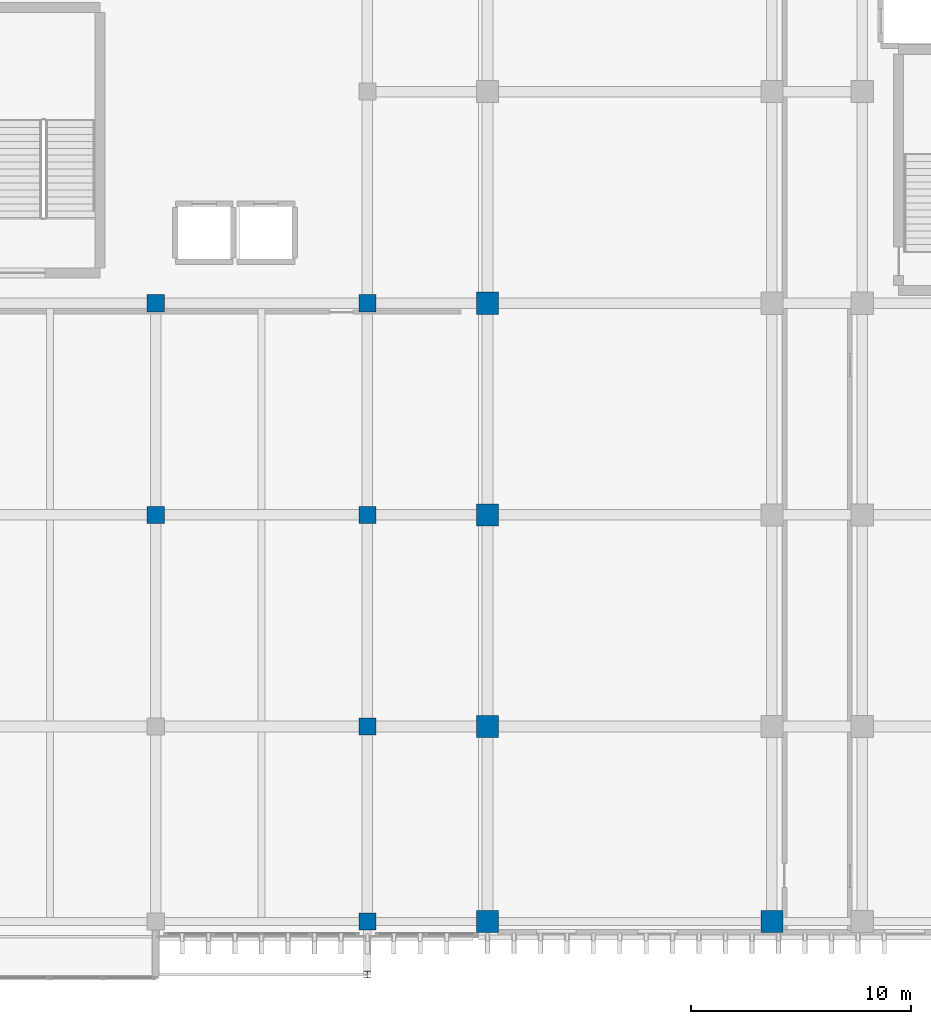
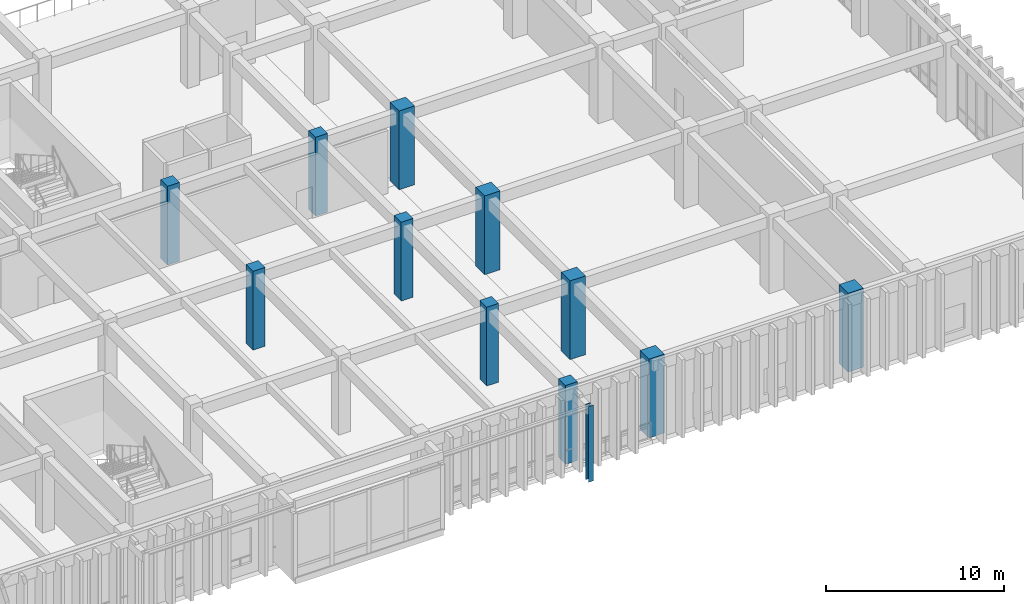
# One storey, part 6 of 134: 12 columns.
"""IFC4 building model written with IfcOpenShell, lengths in metres."""

from ifc_helpers import new_model, si_unit, direction, frame, origin, origin_2d, place, context, subcontext, project, spatial, rectangle, i_section, extrude, material, material_profile, profile_set, type_object, element, save


model = new_model("IFC4")

# Units and contexts
model_context = context("Model", 3, precision=1e-05, world=origin(), true_north=direction((0.0, 1.0)))
body_context = subcontext(model_context, "Body", "Model", "MODEL_VIEW")
ifc_project = project(units=[si_unit("LENGTHUNIT", "METRE"), si_unit("AREAUNIT", "SQUARE_METRE"), si_unit("VOLUMEUNIT", "CUBIC_METRE"), si_unit("PLANEANGLEUNIT", "RADIAN"), si_unit("MASSUNIT", "GRAM", prefix="KILO")], contexts=[model_context])

# Site, building, storey
site_placement = place(None, origin())
site = spatial("IfcSite", under=ifc_project, at=site_placement, CompositionType="ELEMENT")
building_placement = place(site_placement, origin())
building = spatial("IfcBuilding", under=site, at=building_placement, Name="Nakhvara Creek Congress Hotel", CompositionType="ELEMENT")
storey_placement = place(building_placement, frame((0.0, 0.0, 6.0)))
storey = spatial("IfcBuildingStorey", under=building, at=storey_placement, Name="L01", CompositionType="ELEMENT", Elevation=6.0)

# Columns
ifc_material_1 = material(Name="Concrete C50/60", Category="concrete")
ifc_material_profile_1 = material_profile(ifc_material_1, rectangle(XDim=1.0, YDim=1.0, at=origin_2d()), Name="RC-COL 1000x1000", Category="LoadBearing")
ifc_profile_set_1 = profile_set([ifc_material_profile_1], Name="Concrete C50/60")
column_type_1 = type_object("IfcColumnType", Name="COL-RC-1000", PredefinedType="COLUMN", material=ifc_profile_set_1)
for number, where, z_axis, x_axis, name in (
    (1, (149.449951171875, 0.75, 0.0), (0.0, 0.0, 1.0), (1.0, 0.0, 0.0), "Column C02-L01-0980"),
    (2, (149.449951171875, 9.60009765625, 0.0), (0.0, 0.0, 1.0), (1.0, 0.0, 0.0), "Column C02-L01-0981"),
    (3, (149.449951171875, 19.199951171875, 0.0), (0.0, 0.0, 1.0), (1.0, 0.0, 0.0), "Column C02-L01-0982"),
    (4, (149.449951171875, 28.800048828125, 0.0), (0.0, 0.0, 1.0), (1.0, 0.0, 0.0), "Column C02-L01-0983"),
    (5, (162.35009765625, 0.75, 0.0), (0.0, 0.0, 1.0), (1.0, 0.0, 0.0), "Column C02-L01-0994"),
):
    element("IfcColumn", number, at=place(storey_placement, frame(where, z_axis=z_axis, x_axis=x_axis)), inside=storey, type_object=column_type_1, Name=name, PredefinedType="COLUMN", context=body_context, shape_type="SweptSolid", body=[
        extrude(rectangle(XDim=1.0, YDim=1.0, at=origin_2d()), origin(), (0.0, 0.0, 1.0), 5.39990234375),
    ])
ifc_material_profile_2 = material_profile(ifc_material_1, rectangle(XDim=0.780029296875, YDim=0.780029296875, at=origin_2d()), Name="RC-COL 780x780", Category="LoadBearing")
ifc_profile_set_2 = profile_set([ifc_material_profile_2], Name="Concrete C50/60")
column_type_2 = type_object("IfcColumnType", Name="COL-RC-780", PredefinedType="COLUMN", material=ifc_profile_set_2)
for number, where, z_axis, x_axis, name in (
    (6, (134.39990234375, 19.199951171875, 0.0), (0.0, 0.0, 1.0), (1.0, 0.0, 0.0), "Column C19-L01-0956"),
    (7, (134.39990234375, 28.800048828125, 0.0), (0.0, 0.0, 1.0), (1.0, 0.0, 0.0), "Column C19-L01-0957"),
    (8, (144.0, 0.75, 0.0), (0.0, 0.0, 1.0), (1.0, 0.0, 0.0), "Column C19-L01-0964"),
    (9, (144.0, 9.60009765625, 0.0), (0.0, 0.0, 1.0), (1.0, 0.0, 0.0), "Column C19-L01-0965"),
    (10, (144.0, 19.199951171875, 0.0), (0.0, 0.0, 1.0), (1.0, 0.0, 0.0), "Column C19-L01-0966"),
    (11, (144.0, 28.800048828125, 0.0), (0.0, 0.0, 1.0), (1.0, 0.0, 0.0), "Column C19-L01-0967"),
):
    element("IfcColumn", number, at=place(storey_placement, frame(where, z_axis=z_axis, x_axis=x_axis)), inside=storey, type_object=column_type_2, Name=name, PredefinedType="COLUMN", context=body_context, shape_type="SweptSolid", body=[
        extrude(rectangle(XDim=0.780029296875, YDim=0.780029296875, at=origin_2d()), origin(), (0.0, 0.0, 1.0), 5.39990234375),
    ])
ifc_material_2 = material(Name="Steel S355J2", Category="steel")
ifc_material_profile_3 = material_profile(ifc_material_2, i_section(OverallWidth=0.307373046875, OverallDepth=0.314453125, WebThickness=0.011962890625, FlangeThickness=0.018798828125, FilletRadius=0.01513671875, at=origin_2d()), Name="UC 305x305x118", Category="LoadBearing")
ifc_profile_set_3 = profile_set([ifc_material_profile_3], Name="Steel S355J2")
column_type_3 = type_object("IfcColumnType", Name="COL-ST-UC305", PredefinedType="COLUMN", material=ifc_profile_set_3)
column_placement = place(storey_placement, frame((144.0, -1.64990234375, 0.0), z_axis=(0.0, 0.0, 1.0), x_axis=(1.0, 0.0, 0.0)))
element("IfcColumn", 12, at=column_placement, inside=storey, type_object=column_type_3, Name="Column CS2-L01-0979", PredefinedType="COLUMN", context=body_context, shape_type="SweptSolid", body=[
    extrude(i_section(OverallWidth=0.307373046875, OverallDepth=0.314453125, WebThickness=0.011962890625, FlangeThickness=0.018798828125, FilletRadius=0.01513671875, at=origin_2d()), origin(), (0.0, 0.0, 1.0), 5.179931640625),
])

save(model, "model.ifc")
